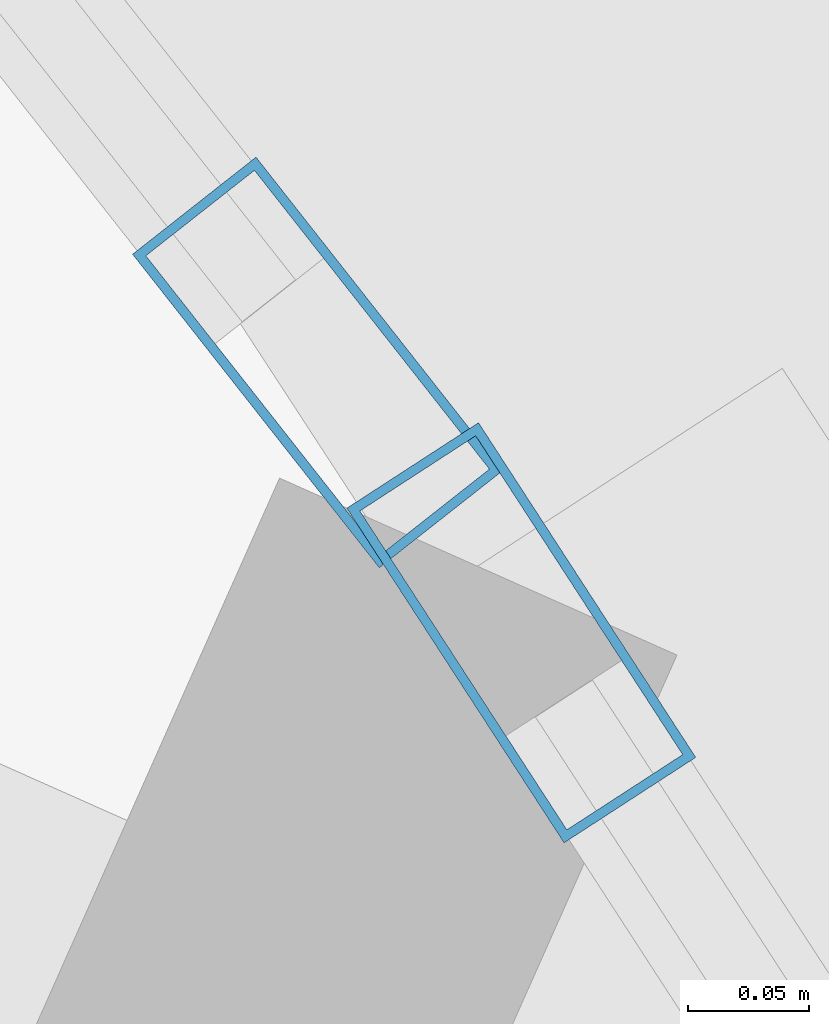
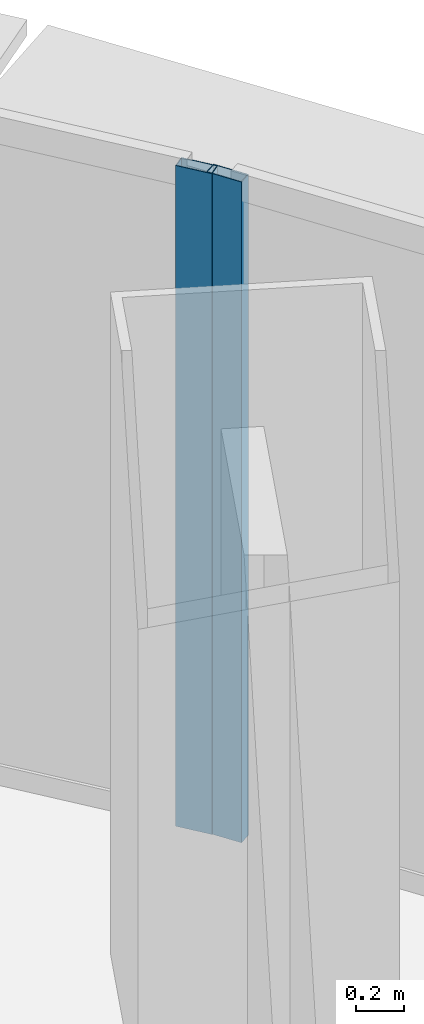
# One storey, part 20 of 37: 2 members, 2 elements without a shape of their own.
"""IFC4 building model written with IfcOpenShell, lengths in metres."""

from ifc_helpers import new_model, si_unit, direction, frame, origin, origin_2d, place, context, subcontext, project, spatial, hollow_rectangle, extrude, source, transform, mapped, material, layer, layer_set, material_profile, profile_set, type_object, element, aggregate, save


model = new_model("IFC4")

# Units and contexts
model_context = context("Model", 3, precision=1e-05, world=origin(), true_north=direction((0.0, 1.0)))
body_context = subcontext(model_context, "Body", "Model", "MODEL_VIEW")
ifc_project = project(units=[si_unit("LENGTHUNIT", "METRE"), si_unit("AREAUNIT", "SQUARE_METRE"), si_unit("VOLUMEUNIT", "CUBIC_METRE"), si_unit("PLANEANGLEUNIT", "RADIAN"), si_unit("MASSUNIT", "GRAM", prefix="KILO"), si_unit("THERMODYNAMICTEMPERATUREUNIT", "KELVIN"), si_unit("POWERUNIT", "WATT")], contexts=[model_context])

# Site, building, storey
site_placement = place(None, origin())
site = spatial("IfcSite", under=ifc_project, at=site_placement, CompositionType="ELEMENT")
building_placement = place(site_placement, origin())
building = spatial("IfcBuilding", under=site, at=building_placement, Name="Yunzhuo Pagoda Commons", CompositionType="ELEMENT")
storey_placement = place(building_placement, frame((0.0, 0.0, 55.81005859375)))
storey = spatial("IfcBuildingStorey", under=building, at=storey_placement, Name="L14", CompositionType="ELEMENT", Elevation=55.81005859375)

# Curtain wall, member
ifc_material = material(Name="Anodized aluminium 6063-T6", Category="aluminium")
ifc_layer = layer(ifc_material, 0.1650390625)
ifc_layer_set = layer_set([ifc_layer], Name="Anodized aluminium 6063-T6")
curtain_wall_type = type_object("IfcCurtainWallType", Name="CW-LOW Low-Zone Ribbon Curtain Wall", PredefinedType="NOTDEFINED", material=ifc_layer_set)
curtain_wall_1_placement = place(storey_placement, origin())
curtain_wall_1 = element("IfcCurtainWall", 1, at=curtain_wall_1_placement, inside=storey, type_object=curtain_wall_type, Name="L14 curtain wall CW-L14-F2B4", PredefinedType="NOTDEFINED")
ifc_material_profile = material_profile(ifc_material, hollow_rectangle(XDim=0.06494140625, YDim=0.1650390625, WallThickness=0.00390625, at=origin_2d()), Name="Anodized aluminium 6063-T6")
ifc_profile_set = profile_set([ifc_material_profile], Name="Anodized aluminium 6063-T6")
member_type = type_object("IfcMemberType", Name="CW-LOW-M Mullion RHS 165x65x4", PredefinedType="MULLION", material=ifc_profile_set)
shared_shape = source(origin(), body_context, "Body", "SweptSolid", [
    extrude(hollow_rectangle(XDim=0.06494140625, YDim=0.1650390625, WallThickness=0.00390625, at=origin_2d()), origin(), (0.0, 0.0, 1.0), 3.369873046875),
])
member_1_placement = place(storey_placement, frame((65.189453125, 72.240966796875, 0.0), z_axis=(0.0, 0.0, 1.0), x_axis=(-0.838776712394, -0.544475552018, 0.0)))
member_1 = element("IfcMember", 2, at=member_1_placement, type_object=member_type, Name="CW mullion 2", PredefinedType="MULLION", context=body_context, shape_type="MappedRepresentation", body=[
    mapped(shared_shape, transform((0.0, 0.0, 0.0), scale=1.0)),
])
aggregate(curtain_wall_1, [member_1])

curtain_wall_2_placement = place(storey_placement, origin())
curtain_wall_2 = element("IfcCurtainWall", 3, at=curtain_wall_2_placement, inside=storey, type_object=curtain_wall_type, Name="L14 curtain wall CW-L14-F2B5", PredefinedType="NOTDEFINED")
member_2_placement = place(storey_placement, frame((65.105224609375, 72.352783203125, 0.0), z_axis=(0.0, 0.0, 1.0), x_axis=(-0.785963833081, -0.618272474794, 0.0)))
member_2 = element("IfcMember", 4, at=member_2_placement, type_object=member_type, Name="CW mullion 1", PredefinedType="MULLION", context=body_context, shape_type="MappedRepresentation", body=[
    mapped(shared_shape, transform((0.0, 0.0, 0.0), scale=1.0)),
])
aggregate(curtain_wall_2, [member_2])

save(model, "model.ifc")
